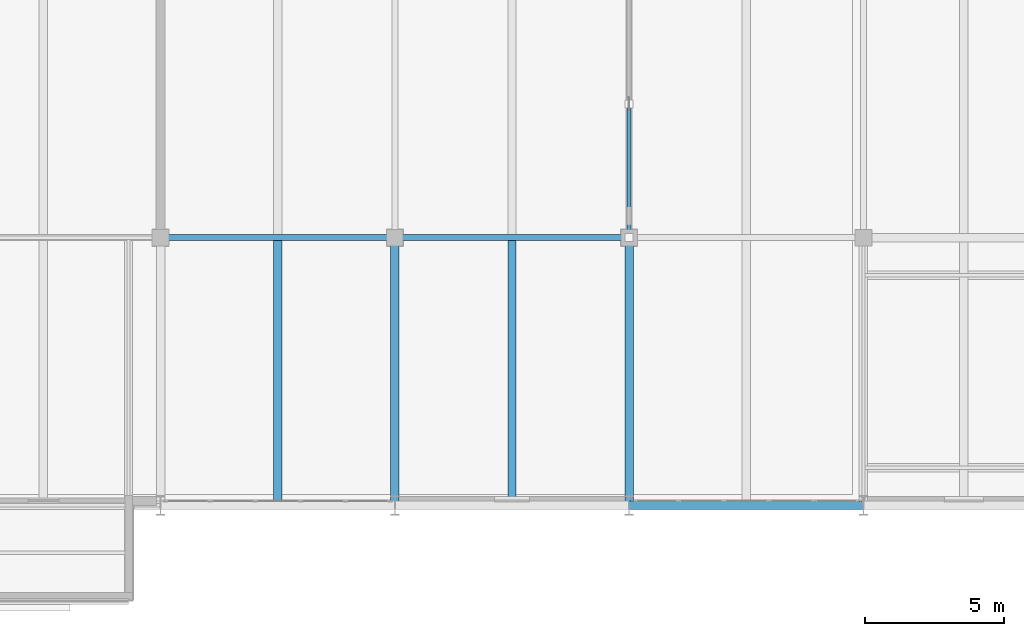
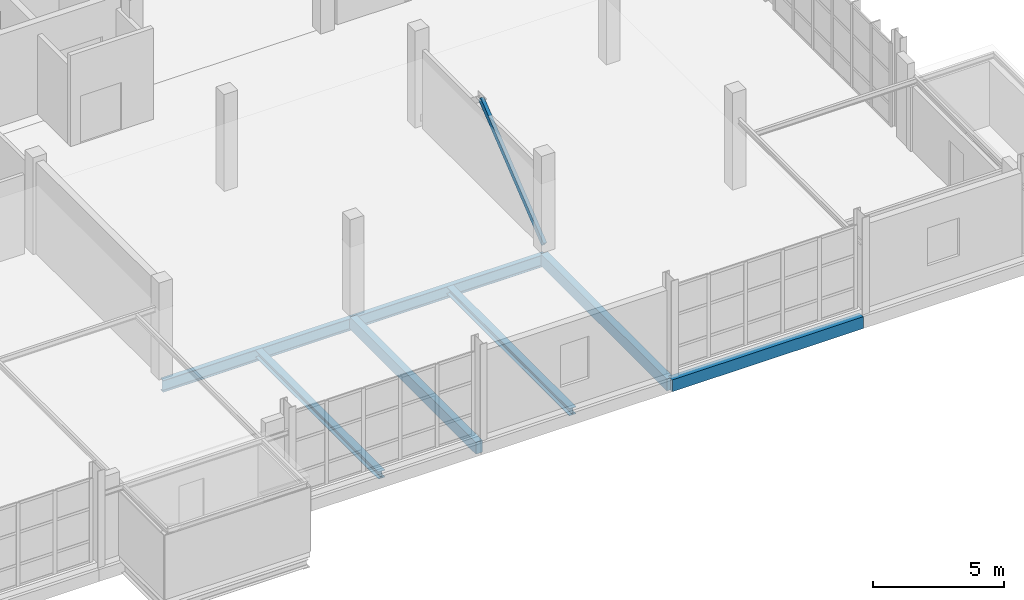
# One storey, part 65 of 113: 7 beams, 1 member.
"""IFC4 building model written with IfcOpenShell, lengths in metres."""

from ifc_helpers import new_model, si_unit, direction, frame, origin, origin_2d, place, context, subcontext, project, spatial, rectangle, hollow_rectangle, i_section, extrude, material, material_profile, profile_set, type_object, element, save


model = new_model("IFC4")

# Units and contexts
model_context = context("Model", 3, precision=1e-05, world=origin(), true_north=direction((0.0, 1.0)))
body_context = subcontext(model_context, "Body", "Model", "MODEL_VIEW")
ifc_project = project(units=[si_unit("LENGTHUNIT", "METRE"), si_unit("AREAUNIT", "SQUARE_METRE"), si_unit("VOLUMEUNIT", "CUBIC_METRE"), si_unit("PLANEANGLEUNIT", "RADIAN"), si_unit("MASSUNIT", "GRAM", prefix="KILO")], contexts=[model_context])

# Site, building, storey
site_placement = place(None, origin())
site = spatial("IfcSite", under=ifc_project, at=site_placement, CompositionType="ELEMENT")
building_placement = place(site_placement, origin())
building = spatial("IfcBuilding", under=site, at=building_placement, Name="Veltarok Museum of Natural Sciences", CompositionType="ELEMENT")
storey_placement = place(building_placement, frame((0.0, 0.0, 8.39990234375)))
storey = spatial("IfcBuildingStorey", under=building, at=storey_placement, Name="L01", CompositionType="ELEMENT", Elevation=8.39990234375)

# Beams
ifc_material_1 = material(Name="Steel S355J2", Category="steel")
ifc_material_profile_1 = material_profile(ifc_material_1, i_section(OverallWidth=0.2099609375, OverallDepth=0.550048828125, WebThickness=0.010986328125, FlangeThickness=0.01708984375, FilletRadius=0.02392578125, at=origin_2d()), Name="IPE 550")
ifc_profile_set_1 = profile_set([ifc_material_profile_1], Name="Steel S355J2")
beam_type_1 = type_object("IfcBeamType", Name="Archive Heavy Girder IPE 550", PredefinedType="BEAM", material=ifc_profile_set_1)
beam_1_placement = place(storey_placement, frame((132.39990234375, 9.60009765625, -0.52490234375), z_axis=(1.0, 0.0, 0.0), x_axis=(0.0, 1.0, 0.0)))
element("IfcBeam", 1, at=beam_1_placement, inside=storey, type_object=beam_type_1, Name="Beam BM-G03 L01 16-17/B", PredefinedType="BEAM", context=body_context, shape_type="SweptSolid", body=[
    extrude(i_section(OverallWidth=0.2099609375, OverallDepth=0.550048828125, WebThickness=0.010986328125, FlangeThickness=0.01708984375, FilletRadius=0.02392578125, at=origin_2d()), origin(), (0.0, 0.0, 1.0), 8.400146484375),
])
beam_2_placement = place(storey_placement, frame((140.800048828125, 9.60009765625, -0.52490234375), z_axis=(1.0, 0.0, 0.0), x_axis=(0.0, 1.0, 0.0)))
element("IfcBeam", 2, at=beam_2_placement, inside=storey, type_object=beam_type_1, Name="Beam BM-G03 L01 17-18/B", PredefinedType="BEAM", context=body_context, shape_type="SweptSolid", body=[
    extrude(i_section(OverallWidth=0.2099609375, OverallDepth=0.550048828125, WebThickness=0.010986328125, FlangeThickness=0.01708984375, FilletRadius=0.02392578125, at=origin_2d()), origin(), (0.0, 0.0, 1.0), 8.39990234375),
])
ifc_material_2 = material(Name="Precast concrete C40/50", Category="concrete")
ifc_material_profile_2 = material_profile(ifc_material_2, rectangle(XDim=0.300048828125, YDim=0.550048828125, at=origin_2d()), Name="RC 300x550")
ifc_profile_set_2 = profile_set([ifc_material_profile_2], Name="Precast concrete C40/50")
beam_type_2 = type_object("IfcBeamType", Name="East Wing Precast Spandrel RC 300x550", PredefinedType="SPANDREL", material=ifc_profile_set_2)
beam_3_placement = place(storey_placement, frame((149.199951171875, 0.0, -0.52490234375), z_axis=(1.0, 0.0, 0.0), x_axis=(0.0, 1.0, 0.0)))
element("IfcBeam", 3, at=beam_3_placement, inside=storey, type_object=beam_type_2, Name="Beam BM-SP02 L01 18-19/A", PredefinedType="SPANDREL", context=body_context, shape_type="SweptSolid", body=[
    extrude(rectangle(XDim=0.300048828125, YDim=0.550048828125, at=origin_2d()), origin(), (0.0, 0.0, 1.0), 8.400146484375),
])
for number, where, z_axis, x_axis, name in (
    (4, (140.800048828125, 0.0, -0.52490234375), (0.0, 1.0, 0.0), (-1.0, 0.0, 0.0), "Beam BM-SP02 L01 17/A-B"),
    (5, (149.199951171875, 0.0, -0.52490234375), (0.0, 1.0, 0.0), (-1.0, 0.0, 0.0), "Beam BM-SP02 L01 18/A-B"),
):
    element("IfcBeam", number, at=place(storey_placement, frame(where, z_axis=z_axis, x_axis=x_axis)), inside=storey, type_object=beam_type_2, Name=name, PredefinedType="SPANDREL", context=body_context, shape_type="SweptSolid", body=[
        extrude(rectangle(XDim=0.300048828125, YDim=0.550048828125, at=origin_2d()), origin(), (0.0, 0.0, 1.0), 9.60009765625),
    ])
ifc_material_profile_3 = material_profile(ifc_material_1, i_section(OverallWidth=0.300048828125, OverallDepth=0.330078125, WebThickness=0.009521484375, FlangeThickness=0.0166015625, FilletRadius=0.027099609375, at=origin_2d()), Name="HEA 340")
ifc_profile_set_3 = profile_set([ifc_material_profile_3], Name="Steel S355J2")
beam_type_3 = type_object("IfcBeamType", Name="Exhibition Floor Joist HEA 340", PredefinedType="JOIST", material=ifc_profile_set_3)
for number, where, z_axis, x_axis, name in (
    (6, (136.60009765625, 0.14794921875, -0.414794921875), (0.0, 1.0, 0.0), (-1.0, 0.0, 0.0), "Secondary Joist BM-J08 L01 16-17/A-B.1"),
    (7, (145.0, 0.14794921875, -0.414794921875), (0.0, 1.0, 0.0), (-1.0, 0.0, 0.0), "Secondary Joist BM-J08 L01 17-18/A-B.1"),
):
    element("IfcBeam", number, at=place(storey_placement, frame(where, z_axis=z_axis, x_axis=x_axis)), inside=storey, type_object=beam_type_3, Name=name, PredefinedType="JOIST", context=body_context, shape_type="SweptSolid", body=[
        extrude(i_section(OverallWidth=0.300048828125, OverallDepth=0.330078125, WebThickness=0.009521484375, FlangeThickness=0.0166015625, FilletRadius=0.027099609375, at=origin_2d()), origin(), (0.0, 0.0, 1.0), 9.34912109375),
    ])

# Member
ifc_material_3 = material(Name="Oxide-red painted Steel S355J2", Category="steel")
ifc_material_profile_4 = material_profile(ifc_material_3, hollow_rectangle(XDim=0.14990234375, YDim=0.25, WallThickness=0.010009765625, at=origin_2d()), Name="RHS 250x150x10")
ifc_profile_set_4 = profile_set([ifc_material_profile_4], Name="Oxide-red painted Steel S355J2")
member_type = type_object("IfcMemberType", Name="Perimeter Frame Lateral Brace RHS 250x150x10", PredefinedType="BRACE", material=ifc_profile_set_4)
member_placement = place(storey_placement, frame((149.199951171875, 9.60009765625, 0.150146484375), z_axis=(0.0, 0.778487310592, 0.627660343855), x_axis=(-1.0, 0.0, 0.0)))
element("IfcMember", 8, at=member_placement, inside=storey, type_object=member_type, Name="Chevron Lateral Brace L01 18/B-C", PredefinedType="BRACE", context=body_context, shape_type="SweptSolid", body=[
    extrude(hollow_rectangle(XDim=0.14990234375, YDim=0.25, WallThickness=0.010009765625, at=origin_2d()), origin(), (0.0, 0.0, 1.0), 6.16552734375),
])

save(model, "model.ifc")
